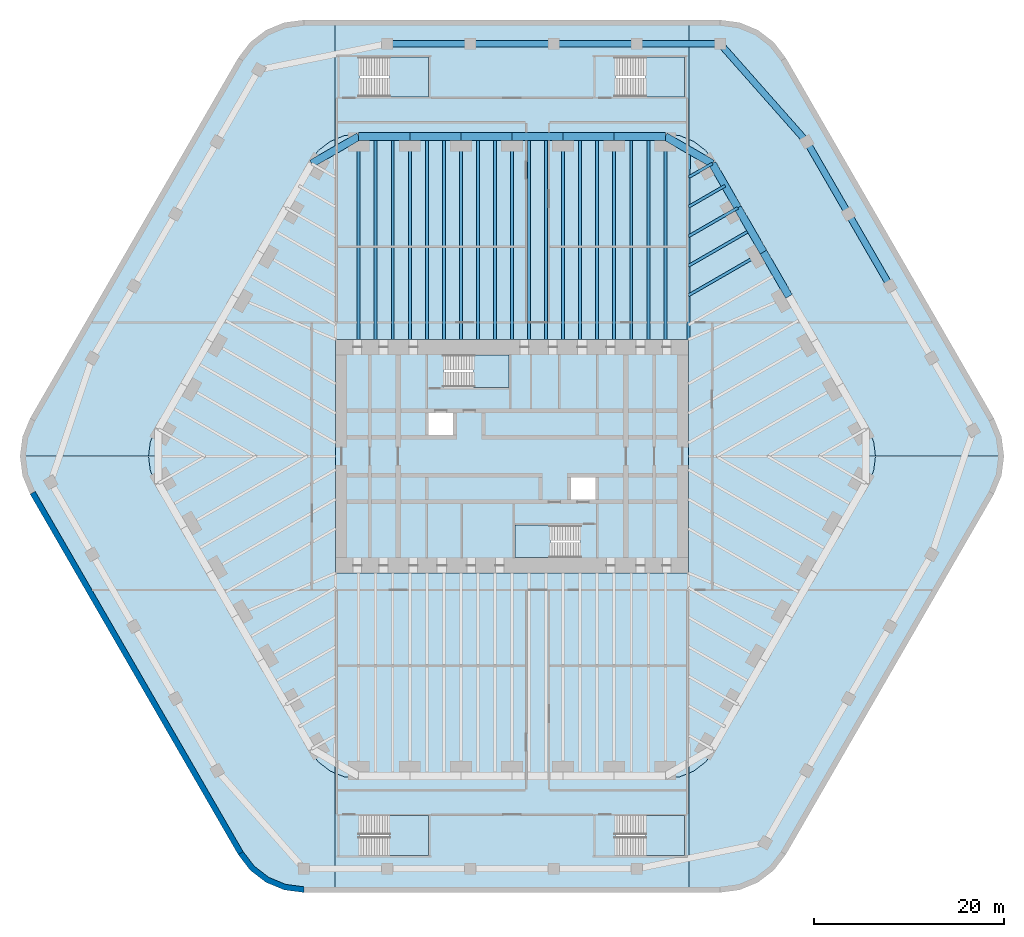
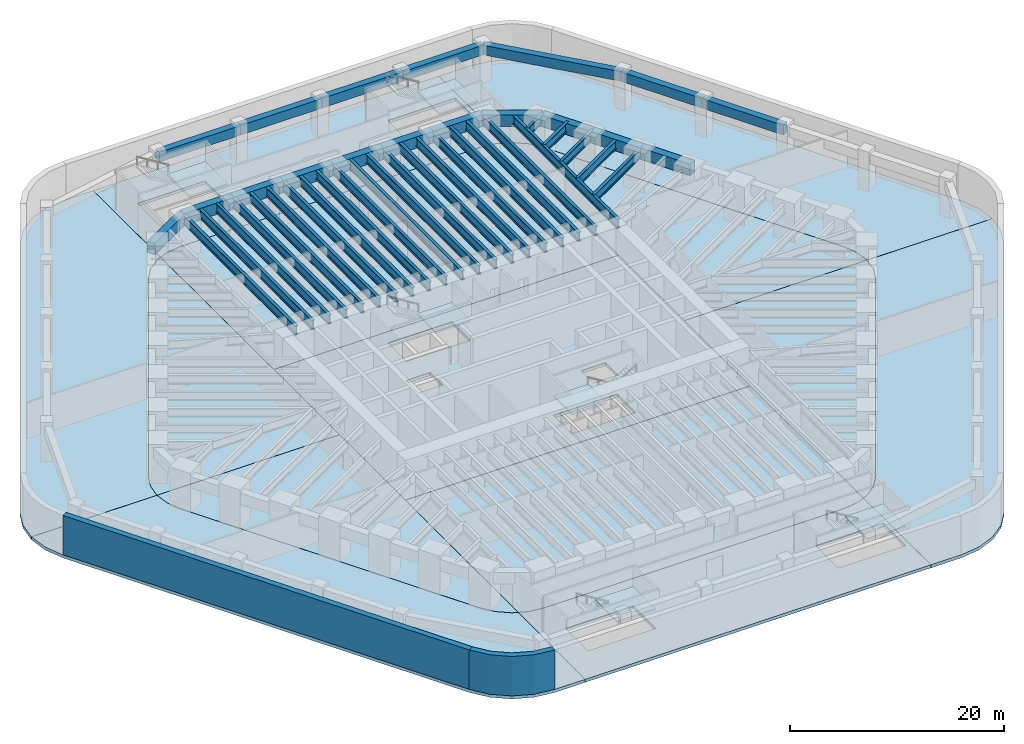
# One storey, part 3 of 12: 43 beams, 19 slabs, 2 walls, 6 elements without a shape of their own.
"""IFC4 building model written with IfcOpenShell, lengths in metres."""

from ifc_helpers import new_model, si_unit, direction, frame, frame_2d, origin, origin_2d, place, context, subcontext, project, spatial, polyline, rectangle, i_section, outline, extrude, material, layer, layer_set, material_profile, profile_set, type_object, element, aggregate, save


model = new_model("IFC4")

# Units and contexts
model_context = context("Model", 3, precision=1e-05, world=origin(), true_north=direction((0.0, 1.0)))
body_context = subcontext(model_context, "Body", "Model", "MODEL_VIEW")
ifc_project = project(units=[si_unit("LENGTHUNIT", "METRE"), si_unit("AREAUNIT", "SQUARE_METRE"), si_unit("VOLUMEUNIT", "CUBIC_METRE"), si_unit("PLANEANGLEUNIT", "RADIAN"), si_unit("MASSUNIT", "GRAM", prefix="KILO")], contexts=[model_context])

# Site, building, storey
site_placement = place(None, origin())
site = spatial("IfcSite", under=ifc_project, at=site_placement, CompositionType="ELEMENT")
building_placement = place(site_placement, origin())
building = spatial("IfcBuilding", under=site, at=building_placement, Name="Tarfa Lantern Tower", CompositionType="ELEMENT")
storey_placement = place(building_placement, frame((0.0, 0.0, -4.5)))
storey = spatial("IfcBuildingStorey", under=building, at=storey_placement, Name="B1", CompositionType="ELEMENT", Elevation=-4.5)

# Beams
ifc_material_1 = material(Name="Concrete C80/95", Category="concrete")
ifc_material_profile_1 = material_profile(ifc_material_1, rectangle(XDim=0.800048828125, YDim=1.300048828125, at=origin_2d()), Name="RC 800x1300")
ifc_profile_set_1 = profile_set([ifc_material_profile_1], Name="Concrete C80/95")
beam_type_1 = type_object("IfcBeamType", Name="EB1 RC 800x1300", PredefinedType="SPANDREL", material=ifc_profile_set_1)
beam_1_placement = place(storey_placement, frame((29.202392578125, 16.860107421875, 3.5), z_axis=(-0.500017906299, 0.866015065331, 0.0), x_axis=(-0.866015065331, -0.500017906299, 0.0)))
element("IfcBeam", 1, at=beam_1_placement, inside=storey, type_object=beam_type_1, Name="Edge beam NE3", PredefinedType="SPANDREL", context=body_context, shape_type="SweptSolid", body=[
    extrude(rectangle(XDim=0.800048828125, YDim=1.300048828125, at=origin_2d()), origin(), (0.0, 0.0, 1.0), 5.388427734375),
])
for number, where, z_axis, x_axis, name in (
    (2, (26.508056640625, 21.526611328125, 3.5), (-0.499998287579, 0.866026392449, 0.0), (-0.866026392449, -0.499998287579, 0.0), "Edge beam NE4"),
    (3, (23.813720703125, 26.193359375, 3.5), (-0.499998287579, 0.866026392449, 0.0), (-0.866026392449, -0.499998287579, 0.0), "Edge beam NE5"),
):
    element("IfcBeam", number, at=place(storey_placement, frame(where, z_axis=z_axis, x_axis=x_axis)), inside=storey, type_object=beam_type_1, Name=name, PredefinedType="SPANDREL", context=body_context, shape_type="SweptSolid", body=[
        extrude(rectangle(XDim=0.800048828125, YDim=1.300048828125, at=origin_2d()), origin(), (0.0, 0.0, 1.0), 5.388671875),
    ])
beam_2_placement = place(storey_placement, frame((21.119384765625, 30.860107421875, 3.5), z_axis=(-0.866033479681, 0.499986011877, 0.0), x_axis=(-0.499986011877, -0.866033479681, 0.0)))
element("IfcBeam", 4, at=beam_2_placement, inside=storey, type_object=beam_type_1, Name="Edge beam NE6", PredefinedType="SPANDREL", context=body_context, shape_type="SweptSolid", body=[
    extrude(rectangle(XDim=0.800048828125, YDim=1.300048828125, at=origin_2d()), origin(), (0.0, 0.0, 1.0), 5.719970703125),
])
beam_3_placement = place(storey_placement, frame((16.165771484375, 33.719970703125, 3.5), z_axis=(-1.0, 0.0, 0.0), x_axis=(0.0, -1.0, 0.0)))
element("IfcBeam", 5, at=beam_3_placement, inside=storey, type_object=beam_type_1, Name="Edge beam N0", PredefinedType="SPANDREL", context=body_context, shape_type="SweptSolid", body=[
    extrude(rectangle(XDim=0.800048828125, YDim=1.300048828125, at=origin_2d()), origin(), (0.0, 0.0, 1.0), 5.388671875),
])
beam_4_placement = place(storey_placement, frame((10.777099609375, 33.719970703125, 3.5), z_axis=(-1.0, 0.0, 0.0), x_axis=(0.0, -1.0, 0.0)))
element("IfcBeam", 6, at=beam_4_placement, inside=storey, type_object=beam_type_1, Name="Edge beam N1", PredefinedType="SPANDREL", context=body_context, shape_type="SweptSolid", body=[
    extrude(rectangle(XDim=0.800048828125, YDim=1.300048828125, at=origin_2d()), origin(), (0.0, 0.0, 1.0), 5.388427734375),
])
for number, where, z_axis, x_axis, name in (
    (7, (5.388671875, 33.719970703125, 3.5), (-1.0, 0.0, 0.0), (0.0, -1.0, 0.0), "Edge beam N2"),
    (8, (0.0, 33.719970703125, 3.5), (-1.0, 0.0, 0.0), (0.0, -1.0, 0.0), "Edge beam N3"),
):
    element("IfcBeam", number, at=place(storey_placement, frame(where, z_axis=z_axis, x_axis=x_axis)), inside=storey, type_object=beam_type_1, Name=name, PredefinedType="SPANDREL", context=body_context, shape_type="SweptSolid", body=[
        extrude(rectangle(XDim=0.800048828125, YDim=1.300048828125, at=origin_2d()), origin(), (0.0, 0.0, 1.0), 5.388671875),
    ])
beam_5_placement = place(storey_placement, frame((-5.388671875, 33.719970703125, 3.5), z_axis=(-1.0, 0.0, 0.0), x_axis=(0.0, -1.0, 0.0)))
element("IfcBeam", 9, at=beam_5_placement, inside=storey, type_object=beam_type_1, Name="Edge beam N4", PredefinedType="SPANDREL", context=body_context, shape_type="SweptSolid", body=[
    extrude(rectangle(XDim=0.800048828125, YDim=1.300048828125, at=origin_2d()), origin(), (0.0, 0.0, 1.0), 5.388427734375),
])
beam_6_placement = place(storey_placement, frame((-10.777099609375, 33.719970703125, 3.5), z_axis=(-1.0, 0.0, 0.0), x_axis=(0.0, -1.0, 0.0)))
element("IfcBeam", 10, at=beam_6_placement, inside=storey, type_object=beam_type_1, Name="Edge beam N5", PredefinedType="SPANDREL", context=body_context, shape_type="SweptSolid", body=[
    extrude(rectangle(XDim=0.800048828125, YDim=1.300048828125, at=origin_2d()), origin(), (0.0, 0.0, 1.0), 5.388671875),
])
beam_7_placement = place(storey_placement, frame((-16.165771484375, 33.719970703125, 3.5), z_axis=(-0.866033479681, -0.499986011877, 0.0), x_axis=(0.499986011877, -0.866033479681, 0.0)))
element("IfcBeam", 11, at=beam_7_placement, inside=storey, type_object=beam_type_1, Name="Edge beam N6", PredefinedType="SPANDREL", context=body_context, shape_type="SweptSolid", body=[
    extrude(rectangle(XDim=0.800048828125, YDim=1.300048828125, at=origin_2d()), origin(), (0.0, 0.0, 1.0), 5.719970703125),
])
ifc_material_profile_2 = material_profile(ifc_material_1, rectangle(XDim=0.699951171875, YDim=1.10009765625, at=origin_2d()), Name="RC 700x1100")
ifc_profile_set_2 = profile_set([ifc_material_profile_2], Name="Concrete C80/95")
beam_type_2 = type_object("IfcBeamType", Name="PB1 RC 700x1100", PredefinedType="BEAM", material=ifc_profile_set_2)
for number, where, z_axis, x_axis, name in (
    (12, (39.865966796875, 17.949951171875, 3.60009765625), (-0.499980931779, 0.866036412547, 0.0), (-0.866036412547, -0.499980931779, 0.0), "Podium ring beam NE2"),
    (13, (35.478271484375, 25.550048828125, 3.60009765625), (-0.500013843384, 0.866017411155, 0.0), (-0.866017411155, -0.500013843384, 0.0), "Podium ring beam NE3"),
):
    element("IfcBeam", number, at=place(storey_placement, frame(where, z_axis=z_axis, x_axis=x_axis)), inside=storey, type_object=beam_type_2, Name=name, PredefinedType="BEAM", context=body_context, shape_type="SweptSolid", body=[
        extrude(rectangle(XDim=0.699951171875, YDim=1.10009765625, at=origin_2d()), origin(), (0.0, 0.0, 1.0), 8.775634765625),
    ])
beam_8_placement = place(storey_placement, frame((31.09033203125, 33.14990234375, 3.60009765625), z_axis=(-0.662381688084, 0.74916653642, 0.0), x_axis=(-0.74916653642, -0.662381688084, 0.0)))
element("IfcBeam", 14, at=beam_8_placement, inside=storey, type_object=beam_type_2, Name="Podium ring beam NE4", PredefinedType="BEAM", context=body_context, shape_type="SweptSolid", body=[
    extrude(rectangle(XDim=0.699951171875, YDim=1.10009765625, at=origin_2d()), origin(), (0.0, 0.0, 1.0), 13.8154296875),
])
for number, where, z_axis, x_axis, name in (
    (15, (21.939208984375, 43.5, 3.60009765625), (-1.0, 0.0, 0.0), (0.0, -1.0, 0.0), "Podium ring beam N0"),
    (16, (13.16357421875, 43.5, 3.60009765625), (-1.0, 0.0, 0.0), (0.0, -1.0, 0.0), "Podium ring beam N1"),
):
    element("IfcBeam", number, at=place(storey_placement, frame(where, z_axis=z_axis, x_axis=x_axis)), inside=storey, type_object=beam_type_2, Name=name, PredefinedType="BEAM", context=body_context, shape_type="SweptSolid", body=[
        extrude(rectangle(XDim=0.699951171875, YDim=1.10009765625, at=origin_2d()), origin(), (0.0, 0.0, 1.0), 8.775634765625),
    ])
beam_9_placement = place(storey_placement, frame((4.387939453125, 43.5, 3.60009765625), z_axis=(-1.0, 0.0, 0.0), x_axis=(0.0, -1.0, 0.0)))
element("IfcBeam", 17, at=beam_9_placement, inside=storey, type_object=beam_type_2, Name="Podium ring beam N2", PredefinedType="BEAM", context=body_context, shape_type="SweptSolid", body=[
    extrude(rectangle(XDim=0.699951171875, YDim=1.10009765625, at=origin_2d()), origin(), (0.0, 0.0, 1.0), 8.77587890625),
])
beam_10_placement = place(storey_placement, frame((-4.387939453125, 43.5, 3.60009765625), z_axis=(-1.0, 0.0, 0.0), x_axis=(0.0, -1.0, 0.0)))
element("IfcBeam", 18, at=beam_10_placement, inside=storey, type_object=beam_type_2, Name="Podium ring beam N3", PredefinedType="BEAM", context=body_context, shape_type="SweptSolid", body=[
    extrude(rectangle(XDim=0.699951171875, YDim=1.10009765625, at=origin_2d()), origin(), (0.0, 0.0, 1.0), 8.775634765625),
])
ifc_material_2 = material(Name="Steel S460M", Category="steel")
ifc_material_profile_3 = material_profile(ifc_material_2, i_section(OverallWidth=0.302001953125, OverallDepth=1.008056640625, WebThickness=0.02099609375, FlangeThickness=0.0400390625, FilletRadius=0.030029296875, at=origin_2d()), Name="UB1016x305x349")
ifc_profile_set_3 = profile_set([ifc_material_profile_3], Name="Steel S460M")
beam_type_3 = type_object("IfcBeamType", Name="UB1016x305x349", PredefinedType="BEAM", material=ifc_profile_set_3)
beam_11_placement = place(storey_placement, frame((26.508056640625, 21.526611328125, 3.64599609375), z_axis=(-0.866035355799, -0.49998276221, 0.0), x_axis=(0.49998276221, -0.866035355799, 0.0)))
element("IfcBeam", 19, at=beam_11_placement, inside=storey, type_object=beam_type_3, Name="Floor beam NE4", PredefinedType="BEAM", context=body_context, shape_type="SweptSolid", body=[
    extrude(i_section(OverallWidth=0.302001953125, OverallDepth=1.008056640625, WebThickness=0.02099609375, FlangeThickness=0.0400390625, FilletRadius=0.030029296875, at=origin_2d()), origin(), (0.0, 0.0, 1.0), 9.119873046875),
])
beam_12_placement = place(storey_placement, frame((23.813720703125, 26.193359375, 3.64599609375), z_axis=(-0.866015997389, -0.500016292001, 0.0), x_axis=(0.500016292001, -0.866015997389, 0.0)))
element("IfcBeam", 20, at=beam_12_placement, inside=storey, type_object=beam_type_3, Name="Floor beam NE5", PredefinedType="BEAM", context=body_context, shape_type="SweptSolid", body=[
    extrude(i_section(OverallWidth=0.302001953125, OverallDepth=1.008056640625, WebThickness=0.02099609375, FlangeThickness=0.0400390625, FilletRadius=0.030029296875, at=origin_2d()), origin(), (0.0, 0.0, 1.0), 5.993408203125),
])
beam_13_placement = place(storey_placement, frame((21.119384765625, 30.860107421875, 3.64599609375), z_axis=(-0.866012580594, -0.500022209759, 0.0), x_axis=(0.500022209759, -0.866012580594, 0.0)))
element("IfcBeam", 21, at=beam_13_placement, inside=storey, type_object=beam_type_3, Name="Floor beam NE6", PredefinedType="BEAM", context=body_context, shape_type="SweptSolid", body=[
    extrude(i_section(OverallWidth=0.302001953125, OverallDepth=1.008056640625, WebThickness=0.02099609375, FlangeThickness=0.0400390625, FilletRadius=0.030029296875, at=origin_2d()), origin(), (0.0, 0.0, 1.0), 2.866943359375),
])
beam_14_placement = place(storey_placement, frame((25.160888671875, 23.860107421875, 3.64599609375), z_axis=(-0.866009650502, -0.500027284493, 0.0), x_axis=(0.500027284493, -0.866009650502, 0.0)))
element("IfcBeam", 22, at=beam_14_placement, inside=storey, type_object=beam_type_3, Name="Floor beam NE4M", PredefinedType="BEAM", context=body_context, shape_type="SweptSolid", body=[
    extrude(i_section(OverallWidth=0.302001953125, OverallDepth=1.008056640625, WebThickness=0.02099609375, FlangeThickness=0.0400390625, FilletRadius=0.030029296875, at=origin_2d()), origin(), (0.0, 0.0, 1.0), 7.556640625),
])
beam_15_placement = place(storey_placement, frame((22.466552734375, 28.526611328125, 3.64599609375), z_axis=(-0.866026823135, -0.499997541604, 0.0), x_axis=(0.499997541604, -0.866026823135, 0.0)))
element("IfcBeam", 23, at=beam_15_placement, inside=storey, type_object=beam_type_3, Name="Floor beam NE5M", PredefinedType="BEAM", context=body_context, shape_type="SweptSolid", body=[
    extrude(i_section(OverallWidth=0.302001953125, OverallDepth=1.008056640625, WebThickness=0.02099609375, FlangeThickness=0.0400390625, FilletRadius=0.030029296875, at=origin_2d()), origin(), (0.0, 0.0, 1.0), 4.43017578125),
])
ifc_material_profile_4 = material_profile(ifc_material_2, i_section(OverallWidth=0.314208984375, OverallDepth=1.055908203125, WebThickness=0.035888671875, FlangeThickness=0.06396484375, FilletRadius=0.030029296875, at=origin_2d()), Name="UB1016x305x584")
ifc_profile_set_4 = profile_set([ifc_material_profile_4], Name="Steel S460M")
beam_type_4 = type_object("IfcBeamType", Name="UB1016x305x584", PredefinedType="BEAM", material=ifc_profile_set_4)
beam_16_placement = place(storey_placement, frame((18.60009765625, 12.300048828125, 3.6220703125), z_axis=(0.00212508222, 0.99999774201, 0.0), x_axis=(-0.99999774201, 0.00212508222, 0.0)))
element("IfcBeam", 24, at=beam_16_placement, inside=storey, type_object=beam_type_4, Name="Hip girder NE", PredefinedType="BEAM", context=body_context, shape_type="SweptSolid", body=[
    extrude(i_section(OverallWidth=0.314208984375, OverallDepth=1.055908203125, WebThickness=0.035888671875, FlangeThickness=0.06396484375, FilletRadius=0.030029296875, at=origin_2d()), origin(), (0.0, 0.0, 1.0), 19.989990234375),
])
for number, where, z_axis, x_axis, name in (
    (25, (16.165771484375, 33.719970703125, 3.6220703125), (0.0, -1.0, 0.0), (1.0, 0.0, 0.0), "Floor beam N0"),
    (26, (10.777099609375, 33.719970703125, 3.6220703125), (0.0, -1.0, 0.0), (1.0, 0.0, 0.0), "Floor beam N1"),
    (27, (5.388671875, 33.719970703125, 3.6220703125), (0.0, -1.0, 0.0), (1.0, 0.0, 0.0), "Floor beam N2"),
    (28, (0.0, 33.719970703125, 3.6220703125), (0.0, -1.0, 0.0), (1.0, 0.0, 0.0), "Floor beam N3"),
    (29, (-5.388671875, 33.719970703125, 3.6220703125), (0.0, -1.0, 0.0), (1.0, 0.0, 0.0), "Floor beam N4"),
    (30, (-10.777099609375, 33.719970703125, 3.6220703125), (0.0, -1.0, 0.0), (1.0, 0.0, 0.0), "Floor beam N5"),
    (31, (-16.165771484375, 33.719970703125, 3.6220703125), (0.0, -1.0, 0.0), (1.0, 0.0, 0.0), "Floor beam N6"),
    (32, (14.36962890625, 33.719970703125, 3.6220703125), (0.0, -1.0, 0.0), (1.0, 0.0, 0.0), "Floor beam N0M1"),
    (33, (12.573486328125, 33.719970703125, 3.6220703125), (0.0, -1.0, 0.0), (1.0, 0.0, 0.0), "Floor beam N0M2"),
    (34, (8.98095703125, 33.719970703125, 3.6220703125), (0.0, -1.0, 0.0), (1.0, 0.0, 0.0), "Floor beam N1M1"),
    (35, (7.184814453125, 33.719970703125, 3.6220703125), (0.0, -1.0, 0.0), (1.0, 0.0, 0.0), "Floor beam N1M2"),
    (36, (3.59228515625, 33.719970703125, 3.6220703125), (0.0, -1.0, 0.0), (1.0, 0.0, 0.0), "Floor beam N2M1"),
    (37, (1.796142578125, 33.719970703125, 3.6220703125), (0.0, -1.0, 0.0), (1.0, 0.0, 0.0), "Floor beam N2M2"),
    (38, (-1.796142578125, 33.719970703125, 3.6220703125), (0.0, -1.0, 0.0), (1.0, 0.0, 0.0), "Floor beam N3M1"),
    (39, (-3.59228515625, 33.719970703125, 3.6220703125), (0.0, -1.0, 0.0), (1.0, 0.0, 0.0), "Floor beam N3M2"),
    (40, (-7.184814453125, 33.719970703125, 3.6220703125), (0.0, -1.0, 0.0), (1.0, 0.0, 0.0), "Floor beam N4M1"),
    (41, (-8.98095703125, 33.719970703125, 3.6220703125), (0.0, -1.0, 0.0), (1.0, 0.0, 0.0), "Floor beam N4M2"),
    (42, (-12.573486328125, 33.719970703125, 3.6220703125), (0.0, -1.0, 0.0), (1.0, 0.0, 0.0), "Floor beam N5M1"),
    (43, (-14.36962890625, 33.719970703125, 3.6220703125), (0.0, -1.0, 0.0), (1.0, 0.0, 0.0), "Floor beam N5M2"),
):
    element("IfcBeam", number, at=place(storey_placement, frame(where, z_axis=z_axis, x_axis=x_axis)), inside=storey, type_object=beam_type_4, Name=name, PredefinedType="BEAM", context=body_context, shape_type="SweptSolid", body=[
        extrude(i_section(OverallWidth=0.314208984375, OverallDepth=1.055908203125, WebThickness=0.035888671875, FlangeThickness=0.06396484375, FilletRadius=0.030029296875, at=origin_2d()), origin(), (0.0, 0.0, 1.0), 21.419921875),
    ])

# Slabs
ifc_material_3 = material(Name="Concrete C40/50", Category="concrete")
ifc_layer_1 = layer(ifc_material_3, 0.35009765625)
ifc_layer_set_1 = layer_set([ifc_layer_1], Name="FS3 FLOOR SLAB 350")
slab_type_1 = type_object("IfcSlabType", Name="FS3 FLOOR SLAB 350", PredefinedType="FLOOR", material=ifc_layer_set_1)
slab_1_placement = place(storey_placement, frame((0.0, 0.0, -0.35009765625)))
element("IfcSlab", 44, at=slab_1_placement, inside=storey, type_object=slab_type_1, Name="Floor slab B1", PredefinedType="FLOOR", context=body_context, shape_type="SweptSolid", body=[
    extrude(outline(polyline([(-18.60009765625, -12.300048828125), (18.60009765625, -12.300048828125), (18.60009765625, 12.300048828125), (-18.60009765625, 12.300048828125), (-18.60009765625, -12.300048828125)]), holes=[polyline([(-8.800048828125, 2.25), (-6.199951171875, 2.25), (-6.199951171875, 4.550048828125), (-8.800048828125, 4.550048828125), (-8.800048828125, 2.25)]), polyline([(8.800048828125, -2.25), (6.199951171875, -2.25), (6.199951171875, -4.550048828125), (8.800048828125, -4.550048828125), (8.800048828125, -2.25)]), polyline([(-7.199951171875, 7.25), (-0.300048828125, 7.25), (-0.300048828125, 10.699951171875), (-7.199951171875, 10.699951171875), (-7.199951171875, 7.25)]), polyline([(7.199951171875, -7.25), (0.300048828125, -7.25), (0.300048828125, -10.699951171875), (7.199951171875, -10.699951171875), (7.199951171875, -7.25)])]), origin(), (0.0, 0.0, 1.0), 0.35009765625),
])
slab_2_placement = place(storey_placement, frame((0.0, 0.0, -0.35009765625)))
element("IfcSlab", 45, at=slab_2_placement, inside=storey, type_object=slab_type_1, Name="Floor slab B1 NE bay", PredefinedType="FLOOR", context=body_context, shape_type="SweptSolid", body=[
    extrude(outline(polyline([(37.52587890625, 2.9990234375), (21.3603515625, 30.998779296875), (20.406982421875, 32.2412109375), (19.164794921875, 33.1943359375), (18.64697265625, 33.408935546875), (18.60205078125, 12.300048828125), (18.60205078125, 0.001953125), (38.329345703125, 0.001953125), (38.125244140625, 1.552490234375), (37.52587890625, 2.9990234375)])), origin(), (0.0, 0.0, 1.0), 0.35009765625),
])
slab_3_placement = place(storey_placement, frame((0.0, 0.0, -0.35009765625)))
element("IfcSlab", 46, at=slab_3_placement, inside=storey, type_object=slab_type_1, Name="Floor slab B1 N bay", PredefinedType="FLOOR", context=body_context, shape_type="SweptSolid", body=[
    extrude(outline(polyline([(-18.597900390625, 12.302001953125), (18.597900390625, 12.302001953125), (18.64306640625, 33.41064453125), (17.71826171875, 33.793701171875), (16.165771484375, 33.998046875), (-16.165771484375, 33.998046875), (-17.71826171875, 33.793701171875), (-18.64306640625, 33.41064453125), (-18.597900390625, 12.302001953125)])), origin(), (0.0, 0.0, 1.0), 0.35009765625),
])
slab_4_placement = place(storey_placement, frame((0.0, 0.0, -0.35009765625)))
element("IfcSlab", 47, at=slab_4_placement, inside=storey, type_object=slab_type_1, Name="Floor slab B1 NW bay", PredefinedType="FLOOR", context=body_context, shape_type="SweptSolid", body=[
    extrude(outline(polyline([(-18.60205078125, 0.001953125), (-18.60205078125, 12.300048828125), (-18.64697265625, 33.408935546875), (-19.164794921875, 33.1943359375), (-20.406982421875, 32.2412109375), (-21.3603515625, 30.998779296875), (-37.52587890625, 2.9990234375), (-38.125244140625, 1.552490234375), (-38.329345703125, 0.001953125), (-18.60205078125, 0.001953125)])), origin(), (0.0, 0.0, 1.0), 0.35009765625),
])
slab_5_placement = place(storey_placement, frame((0.0, 0.0, -0.35009765625)))
element("IfcSlab", 48, at=slab_5_placement, inside=storey, type_object=slab_type_1, Name="Floor slab B1 SW bay", PredefinedType="FLOOR", context=body_context, shape_type="SweptSolid", body=[
    extrude(outline(polyline([(-18.60205078125, -12.300048828125), (-18.60205078125, -0.001953125), (-38.329345703125, -0.001953125), (-38.125244140625, -1.552490234375), (-37.52587890625, -2.9990234375), (-21.3603515625, -30.998779296875), (-20.406982421875, -32.2412109375), (-19.164794921875, -33.1943359375), (-18.64697265625, -33.408935546875), (-18.60205078125, -12.300048828125)])), origin(), (0.0, 0.0, 1.0), 0.35009765625),
])
slab_6_placement = place(storey_placement, frame((0.0, 0.0, -0.35009765625)))
element("IfcSlab", 49, at=slab_6_placement, inside=storey, type_object=slab_type_1, Name="Floor slab B1 S bay", PredefinedType="FLOOR", context=body_context, shape_type="SweptSolid", body=[
    extrude(outline(polyline([(18.597900390625, -12.302001953125), (-18.597900390625, -12.302001953125), (-18.64306640625, -33.41064453125), (-17.71826171875, -33.793701171875), (-16.165771484375, -33.998046875), (16.165771484375, -33.998046875), (17.71826171875, -33.793701171875), (18.64306640625, -33.41064453125), (18.597900390625, -12.302001953125)])), origin(), (0.0, 0.0, 1.0), 0.35009765625),
])
slab_7_placement = place(storey_placement, frame((0.0, 0.0, -0.35009765625)))
element("IfcSlab", 50, at=slab_7_placement, inside=storey, type_object=slab_type_1, Name="Floor slab B1 SE bay", PredefinedType="FLOOR", context=body_context, shape_type="SweptSolid", body=[
    extrude(outline(polyline([(18.60205078125, -0.001953125), (18.60205078125, -12.300048828125), (18.64697265625, -33.408935546875), (19.164794921875, -33.1943359375), (20.406982421875, -32.2412109375), (21.3603515625, -30.998779296875), (37.52587890625, -2.9990234375), (38.125244140625, -1.552490234375), (38.329345703125, -0.001953125), (18.60205078125, -0.001953125)])), origin(), (0.0, 0.0, 1.0), 0.35009765625),
])
slab_8_placement = place(storey_placement, frame((0.0, 0.0, -0.35009765625)))
element("IfcSlab", 51, at=slab_8_placement, inside=storey, type_object=slab_type_1, Name="Floor slab B1 podium-NE bay", PredefinedType="FLOOR", context=body_context, shape_type="SweptSolid", body=[
    extrude(outline(polyline([(50.804931640625, 3.9990234375), (28.865966796875, 41.998779296875), (27.5947265625, 43.655517578125), (25.938232421875, 44.926513671875), (24.00927734375, 45.725341796875), (21.939208984375, 45.998046875), (18.673828125, 45.998046875), (18.64697265625, 33.4130859375), (19.166748046875, 33.197998046875), (20.409912109375, 32.244140625), (21.363525390625, 31.001220703125), (37.529541015625, 3.0009765625), (38.129150390625, 1.553466796875), (38.333251953125, 0.001953125), (51.876220703125, 0.001953125), (51.60400390625, 2.070068359375), (50.804931640625, 3.9990234375)])), origin(), (0.0, 0.0, 1.0), 0.35009765625),
])
slab_9_placement = place(storey_placement, frame((0.0, 0.0, -0.35009765625)))
element("IfcSlab", 52, at=slab_9_placement, inside=storey, type_object=slab_type_1, Name="Floor slab B1 podium-N bay", PredefinedType="FLOOR", context=body_context, shape_type="SweptSolid", body=[
    extrude(outline(polyline([(-18.64306640625, 33.414794921875), (-17.71923828125, 33.797607421875), (-16.166015625, 34.001953125), (16.166015625, 34.001953125), (17.71923828125, 33.797607421875), (18.64306640625, 33.414794921875), (18.669921875, 45.998046875), (-18.669921875, 45.998046875), (-18.64306640625, 33.414794921875)]), holes=[polyline([(10.89990234375, 37.89990234375), (18.199951171875, 37.89990234375), (18.199951171875, 42.10009765625), (10.89990234375, 42.10009765625), (10.89990234375, 37.89990234375)]), polyline([(-16.10009765625, 37.89990234375), (-8.800048828125, 37.89990234375), (-8.800048828125, 42.10009765625), (-16.10009765625, 42.10009765625), (-16.10009765625, 37.89990234375)])]), origin(), (0.0, 0.0, 1.0), 0.35009765625),
])
slab_10_placement = place(storey_placement, frame((0.0, 0.0, -0.35009765625)))
element("IfcSlab", 53, at=slab_10_placement, inside=storey, type_object=slab_type_1, Name="Floor slab B1 podium-NW bay", PredefinedType="FLOOR", context=body_context, shape_type="SweptSolid", body=[
    extrude(outline(polyline([(-38.333251953125, 0.001953125), (-38.129150390625, 1.553466796875), (-37.529541015625, 3.0009765625), (-21.363525390625, 31.001220703125), (-20.409912109375, 32.244140625), (-19.166748046875, 33.197998046875), (-18.64697265625, 33.4130859375), (-18.673828125, 45.998046875), (-21.939208984375, 45.998046875), (-24.00927734375, 45.725341796875), (-25.938232421875, 44.926513671875), (-27.5947265625, 43.655517578125), (-28.865966796875, 41.998779296875), (-50.804931640625, 3.9990234375), (-51.60400390625, 2.070068359375), (-51.876220703125, 0.001953125), (-38.333251953125, 0.001953125)])), origin(), (0.0, 0.0, 1.0), 0.35009765625),
])
slab_11_placement = place(storey_placement, frame((0.0, 0.0, -0.35009765625)))
element("IfcSlab", 54, at=slab_11_placement, inside=storey, type_object=slab_type_1, Name="Floor slab B1 podium-SW bay", PredefinedType="FLOOR", context=body_context, shape_type="SweptSolid", body=[
    extrude(outline(polyline([(-18.64697265625, -33.4130859375), (-19.166748046875, -33.197998046875), (-20.409912109375, -32.244140625), (-21.363525390625, -31.001220703125), (-37.529541015625, -3.0009765625), (-38.129150390625, -1.553466796875), (-38.333251953125, -0.001953125), (-51.876220703125, -0.001953125), (-51.60400390625, -2.070068359375), (-50.804931640625, -3.9990234375), (-28.865966796875, -41.998779296875), (-27.5947265625, -43.655517578125), (-25.938232421875, -44.926513671875), (-24.00927734375, -45.725341796875), (-21.939208984375, -45.998046875), (-18.673828125, -45.998046875), (-18.64697265625, -33.4130859375)])), origin(), (0.0, 0.0, 1.0), 0.35009765625),
])
slab_12_placement = place(storey_placement, frame((0.0, 0.0, -0.35009765625)))
element("IfcSlab", 55, at=slab_12_placement, inside=storey, type_object=slab_type_1, Name="Floor slab B1 podium-S bay", PredefinedType="FLOOR", context=body_context, shape_type="SweptSolid", body=[
    extrude(outline(polyline([(18.64306640625, -33.414794921875), (17.71923828125, -33.797607421875), (16.166015625, -34.001953125), (-16.166015625, -34.001953125), (-17.71923828125, -33.797607421875), (-18.64306640625, -33.414794921875), (-18.669921875, -45.998046875), (18.669921875, -45.998046875), (18.64306640625, -33.414794921875)]), holes=[polyline([(-16.10009765625, -42.10009765625), (-8.800048828125, -42.10009765625), (-8.800048828125, -37.89990234375), (-16.10009765625, -37.89990234375), (-16.10009765625, -42.10009765625)]), polyline([(10.89990234375, -42.10009765625), (18.199951171875, -42.10009765625), (18.199951171875, -37.89990234375), (10.89990234375, -37.89990234375), (10.89990234375, -42.10009765625)])]), origin(), (0.0, 0.0, 1.0), 0.35009765625),
])
slab_13_placement = place(storey_placement, frame((0.0, 0.0, -0.35009765625)))
element("IfcSlab", 56, at=slab_13_placement, inside=storey, type_object=slab_type_1, Name="Floor slab B1 podium-SE bay", PredefinedType="FLOOR", context=body_context, shape_type="SweptSolid", body=[
    extrude(outline(polyline([(38.333251953125, -0.001953125), (38.129150390625, -1.553466796875), (37.529541015625, -3.0009765625), (21.363525390625, -31.001220703125), (20.409912109375, -32.244140625), (19.166748046875, -33.197998046875), (18.64697265625, -33.4130859375), (18.673828125, -45.998046875), (21.939208984375, -45.998046875), (24.00927734375, -45.725341796875), (25.938232421875, -44.926513671875), (27.5947265625, -43.655517578125), (28.865966796875, -41.998779296875), (50.804931640625, -3.9990234375), (51.60400390625, -2.070068359375), (51.876220703125, -0.001953125), (38.333251953125, -0.001953125)])), origin(), (0.0, 0.0, 1.0), 0.35009765625),
])

# Stair, slab
stair_type_1 = type_object("IfcStairType", Name="ST-T1 HALF-TURN STAIR 4500 RISE", PredefinedType="HALF_TURN_STAIR", material=ifc_material_3)
stair_1_placement = place(storey_placement, origin())
stair_1 = element("IfcStair", 57, at=stair_1_placement, inside=storey, type_object=stair_type_1, Name="Stair ST1", PredefinedType="HALF_TURN_STAIR")
ifc_layer_2 = layer(ifc_material_3, 0.199951171875)
ifc_layer_set_2 = layer_set([ifc_layer_2], Name="SL1 STAIR LANDING 200")
slab_type_2 = type_object("IfcSlabType", Name="SL1 STAIR LANDING 200", PredefinedType="LANDING", material=ifc_layer_set_2)
slab_14_placement = place(storey_placement, frame((0.0, 0.0, 2.050048828125)))
slab_14 = element("IfcSlab", 58, at=slab_14_placement, type_object=slab_type_2, Name="ST1 landing 1", PredefinedType="LANDING", context=body_context, shape_type="SweptSolid", body=[
    extrude(outline(polyline([(-4.0400390625, 7.25), (-0.300048828125, 7.25), (-0.300048828125, 10.699951171875), (-4.0400390625, 10.699951171875), (-4.0400390625, 7.25)])), origin(), (0.0, 0.0, 1.0), 0.199951171875),
])
aggregate(stair_1, [slab_14])

stair_2_placement = place(storey_placement, origin())
stair_2 = element("IfcStair", 59, at=stair_2_placement, inside=storey, type_object=stair_type_1, Name="Stair ST2", PredefinedType="HALF_TURN_STAIR")
slab_15_placement = place(storey_placement, frame((0.0, 0.0, 2.050048828125)))
slab_15 = element("IfcSlab", 60, at=slab_15_placement, type_object=slab_type_2, Name="ST2 landing 1", PredefinedType="LANDING", context=body_context, shape_type="SweptSolid", body=[
    extrude(outline(polyline([(4.0400390625, -7.25), (0.300048828125, -7.25), (0.300048828125, -10.699951171875), (4.0400390625, -10.699951171875), (4.0400390625, -7.25)])), origin(), (0.0, 0.0, 1.0), 0.199951171875),
])
aggregate(stair_2, [slab_15])

stair_type_2 = type_object("IfcStairType", Name="ST-T2 HALF-TURN STAIR 4500 RISE", PredefinedType="HALF_TURN_STAIR", material=ifc_material_3)
stair_3_placement = place(storey_placement, origin())
stair_3 = element("IfcStair", 61, at=stair_3_placement, inside=storey, type_object=stair_type_2, Name="Stair ST3", PredefinedType="HALF_TURN_STAIR")
slab_16_placement = place(storey_placement, frame((0.0, 0.0, 2.050048828125)))
slab_16 = element("IfcSlab", 62, at=slab_16_placement, type_object=slab_type_2, Name="ST3 landing 1", PredefinedType="LANDING", context=body_context, shape_type="SweptSolid", body=[
    extrude(outline(polyline([(14.06005859375, 37.89990234375), (18.199951171875, 37.89990234375), (18.199951171875, 42.10009765625), (14.06005859375, 42.10009765625), (14.06005859375, 37.89990234375)])), origin(), (0.0, 0.0, 1.0), 0.199951171875),
])
aggregate(stair_3, [slab_16])

stair_4_placement = place(storey_placement, origin())
stair_4 = element("IfcStair", 63, at=stair_4_placement, inside=storey, type_object=stair_type_2, Name="Stair ST4", PredefinedType="HALF_TURN_STAIR")
slab_17_placement = place(storey_placement, frame((0.0, 0.0, 2.050048828125)))
slab_17 = element("IfcSlab", 64, at=slab_17_placement, type_object=slab_type_2, Name="ST4 landing 1", PredefinedType="LANDING", context=body_context, shape_type="SweptSolid", body=[
    extrude(outline(polyline([(-12.93994140625, 37.89990234375), (-8.800048828125, 37.89990234375), (-8.800048828125, 42.10009765625), (-12.93994140625, 42.10009765625), (-12.93994140625, 37.89990234375)])), origin(), (0.0, 0.0, 1.0), 0.199951171875),
])
aggregate(stair_4, [slab_17])

stair_5_placement = place(storey_placement, origin())
stair_5 = element("IfcStair", 65, at=stair_5_placement, inside=storey, type_object=stair_type_2, Name="Stair ST5", PredefinedType="HALF_TURN_STAIR")
slab_18_placement = place(storey_placement, frame((0.0, 0.0, 2.050048828125)))
slab_18 = element("IfcSlab", 66, at=slab_18_placement, type_object=slab_type_2, Name="ST5 landing 1", PredefinedType="LANDING", context=body_context, shape_type="SweptSolid", body=[
    extrude(outline(polyline([(-12.93994140625, -42.10009765625), (-8.800048828125, -42.10009765625), (-8.800048828125, -37.89990234375), (-12.93994140625, -37.89990234375), (-12.93994140625, -42.10009765625)])), origin(), (0.0, 0.0, 1.0), 0.199951171875),
])
aggregate(stair_5, [slab_18])

stair_6_placement = place(storey_placement, origin())
stair_6 = element("IfcStair", 67, at=stair_6_placement, inside=storey, type_object=stair_type_2, Name="Stair ST6", PredefinedType="HALF_TURN_STAIR")
slab_19_placement = place(storey_placement, frame((0.0, 0.0, 2.050048828125)))
slab_19 = element("IfcSlab", 68, at=slab_19_placement, type_object=slab_type_2, Name="ST6 landing 1", PredefinedType="LANDING", context=body_context, shape_type="SweptSolid", body=[
    extrude(outline(polyline([(14.06005859375, -42.10009765625), (18.199951171875, -42.10009765625), (18.199951171875, -37.89990234375), (14.06005859375, -37.89990234375), (14.06005859375, -42.10009765625)])), origin(), (0.0, 0.0, 1.0), 0.199951171875),
])
aggregate(stair_6, [slab_19])

# Walls
ifc_material_4 = material(Name="Concrete C50/60", Category="concrete")
ifc_layer_3 = layer(ifc_material_4, 0.60009765625)
ifc_layer_set_3 = layer_set([ifc_layer_3], Name="RW1 RETAINING WALL 600")
wall_type = type_object("IfcWallType", Name="RW1 RETAINING WALL 600", PredefinedType="SOLIDWALL", material=ifc_layer_set_3)
wall_1_placement = place(storey_placement, frame((-50.547119140625, -3.85009765625, 0.0), z_axis=(0.0, 0.0, 1.0), x_axis=(0.500002442456, -0.866023993627, 0.0)))
element("IfcWall", 69, at=wall_1_placement, inside=storey, type_object=wall_type, Name="Retaining wall SW", PredefinedType="SOLIDWALL", context=body_context, shape_type="SweptSolid", body=[
    extrude(rectangle(XDim=43.878662109375, YDim=0.60009765625, at=frame_2d((21.939453125, 0.0))), origin(), (0.0, 0.0, 1.0), 4.5),
])
wall_2_placement = place(storey_placement, origin())
element("IfcWall", 70, at=wall_2_placement, inside=storey, type_object=wall_type, Name="Retaining wall corner SW", PredefinedType="SOLIDWALL", context=body_context, shape_type="SweptSolid", body=[
    extrude(outline(polyline([(-28.867431640625, -42.0), (-27.59619140625, -43.65673828125), (-25.939208984375, -44.92822265625), (-24.009765625, -45.727294921875), (-21.939208984375, -46.0), (-21.939208984375, -45.39990234375), (-23.8544921875, -45.14794921875), (-25.639404296875, -44.40869140625), (-27.171875, -43.232666015625), (-28.347900390625, -41.699951171875), (-28.867431640625, -42.0)])), origin(), (0.0, 0.0, 1.0), 4.5),
])

save(model, "model.ifc")
